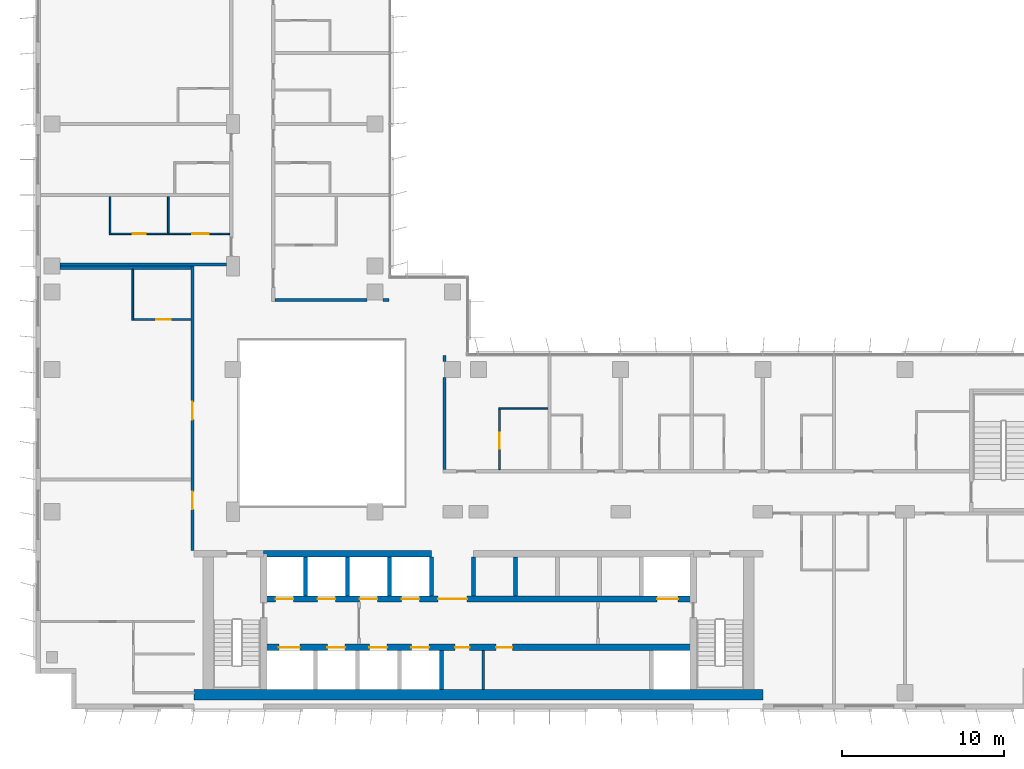
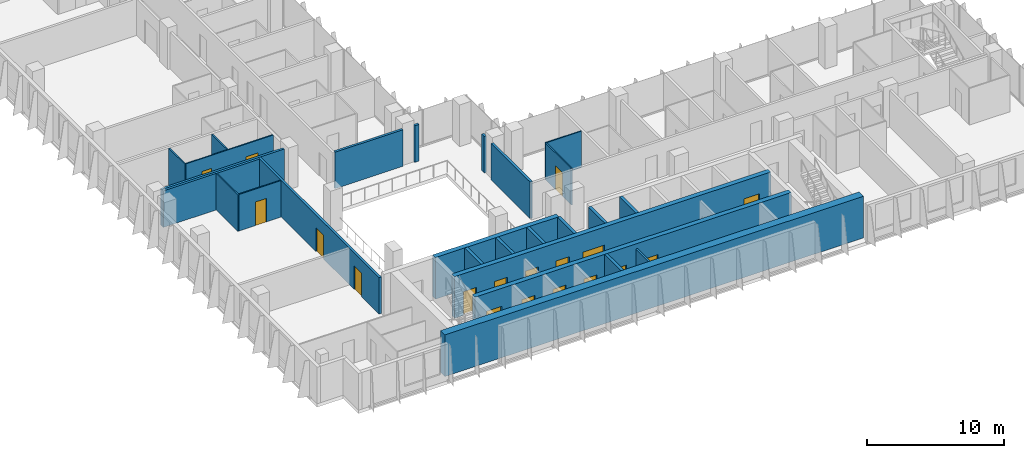
# One storey, part 13 of 21: 26 walls, 18 doors, 18 openings.
"""IFC4 building model written with IfcOpenShell, lengths in metres."""

from ifc_helpers import new_model, si_unit, direction, frame, frame_2d, origin, place, context, subcontext, project, spatial, rectangle, extrude, material, layer, layer_set, type_object, element, fill, save


model = new_model("IFC4")

# Units and contexts
model_context = context("Model", 3, precision=1e-05, world=origin(), true_north=direction((0.0, 1.0)))
body_context = subcontext(model_context, "Body", "Model", "MODEL_VIEW")
ifc_project = project(units=[si_unit("LENGTHUNIT", "METRE"), si_unit("AREAUNIT", "SQUARE_METRE"), si_unit("VOLUMEUNIT", "CUBIC_METRE"), si_unit("PLANEANGLEUNIT", "RADIAN"), si_unit("MASSUNIT", "GRAM", prefix="KILO")], contexts=[model_context])

# Site, building, storey
site_placement = place(None, origin())
site = spatial("IfcSite", under=ifc_project, at=site_placement, CompositionType="ELEMENT")
building_placement = place(site_placement, origin())
building = spatial("IfcBuilding", under=site, at=building_placement, Name="Kemantara Hotel Tower", CompositionType="ELEMENT")
storey_placement = place(building_placement, frame((0.0, 0.0, 198.800048828125)))
storey = spatial("IfcBuildingStorey", under=building, at=storey_placement, Name="L49", CompositionType="ELEMENT", Elevation=198.800048828125)

# Walls
ifc_material_1 = material(Name="Concrete fc 60 MPa", Category="concrete")
ifc_layer_1 = layer(ifc_material_1, 0.25)
ifc_layer_set_1 = layer_set([ifc_layer_1], Name="Concrete fc 60 MPa")
wall_type_1 = type_object("IfcWallType", Name="CORE WALL 250 FC60", PredefinedType="SHEAR", material=ifc_layer_set_1)
wall_1_placement = place(storey_placement, frame((25.10009765625, 1.199951171875, 0.0), z_axis=(0.0, 0.0, 1.0), x_axis=(0.0, 1.0, 0.0)))
element("IfcWall", 1, at=wall_1_placement, inside=storey, type_object=wall_type_1, Name="CORE WALL CW-DS25.1", PredefinedType="SHEAR", context=body_context, shape_type="SweptSolid", body=[
    extrude(rectangle(XDim=2.400146484375, YDim=0.25, at=frame_2d((1.2001953125, 0.0))), origin(), (0.0, 0.0, 1.0), 3.699951171875),
])
for number, where, z_axis, x_axis, name in (
    (2, (16.699951171875, 7.0, 0.0), (0.0, 0.0, 1.0), (0.0, 1.0, 0.0), "CORE WALL CW-DN16.7"),
    (3, (19.300048828125, 7.0, 0.0), (0.0, 0.0, 1.0), (0.0, 1.0, 0.0), "CORE WALL CW-DN19.3"),
    (4, (21.89990234375, 7.0, 0.0), (0.0, 0.0, 1.0), (0.0, 1.0, 0.0), "CORE WALL CW-DN21.9"),
    (5, (24.5, 7.0, 0.0), (0.0, 0.0, 1.0), (0.0, 1.0, 0.0), "CORE WALL CW-DN24.5"),
    (6, (27.10009765625, 7.0, 0.0), (0.0, 0.0, 1.0), (0.0, 1.0, 0.0), "CORE WALL CW-DN27.1"),
    (7, (29.699951171875, 7.0, 0.0), (0.0, 0.0, 1.0), (0.0, 1.0, 0.0), "CORE WALL CW-DN29.7"),
):
    element("IfcWall", number, at=place(storey_placement, frame(where, z_axis=z_axis, x_axis=x_axis)), inside=storey, type_object=wall_type_1, Name=name, PredefinedType="SHEAR", context=body_context, shape_type="SweptSolid", body=[
        extrude(rectangle(XDim=2.39990234375, YDim=0.25, at=frame_2d((1.199951171875, 0.0))), origin(), (0.0, 0.0, 1.0), 3.699951171875),
    ])
ifc_layer_2 = layer(ifc_material_1, 0.39990234375)
ifc_layer_set_2 = layer_set([ifc_layer_2], Name="Concrete fc 60 MPa")
wall_type_2 = type_object("IfcWallType", Name="CORE WALL 400 FC60", PredefinedType="SHEAR", material=ifc_layer_set_2)
wall_2_placement = place(storey_placement, frame((14.10009765625, 9.60009765625, 0.0), z_axis=(0.0, 0.0, 1.0), x_axis=(1.0, 0.0, 0.0)))
element("IfcWall", 8, at=wall_2_placement, inside=storey, type_object=wall_type_2, Name="CORE WALL CW-NN1", PredefinedType="SHEAR", context=body_context, shape_type="SweptSolid", body=[
    extrude(rectangle(XDim=10.39990234375, YDim=0.39990234375, at=frame_2d((5.199951171875, 0.0))), origin(), (0.0, 0.0, 1.0), 3.699951171875),
])

# Wall, openings, doors
wall_3_placement = place(storey_placement, frame((14.10009765625, 3.800048828125, 0.0), z_axis=(0.0, 0.0, 1.0), x_axis=(1.0, 0.0, 0.0)))
wall_3 = element("IfcWall", 9, at=wall_3_placement, inside=storey, type_object=wall_type_2, Name="CORE WALL CW-L1", PredefinedType="SHEAR", context=body_context, shape_type="SweptSolid", body=[
    extrude(rectangle(XDim=26.599853515625, YDim=0.39990234375, at=frame_2d((13.2998046875, 0.0))), origin(), (0.0, 0.0, 1.0), 3.699951171875),
])
opening_1_placement = place(wall_3_placement, frame((0.949951171875, 0.0, 0.0)))
opening_1 = element("IfcOpeningElement", 10, at=opening_1_placement, cuts=wall_3, Name="Opening C30-LD-FF1", PredefinedType="OPENING", context=body_context, shape_type="SweptSolid", body=[
    extrude(rectangle(XDim=1.300048828125, YDim=2.10009765625, at=frame_2d((0.64990234375, 1.050048828125))), frame((0.0, 0.2099609375, 0.0), z_axis=(0.0, -1.0, 0.0), x_axis=(1.0, 0.0, 0.0)), (0.0, 0.0, 1.0), 0.419921875),
])
opening_2_placement = place(wall_3_placement, frame((3.949951171875, 0.0, 0.0)))
opening_2 = element("IfcOpeningElement", 11, at=opening_2_placement, cuts=wall_3, Name="Opening C30-LD-SV1", PredefinedType="OPENING", context=body_context, shape_type="SweptSolid", body=[
    extrude(rectangle(XDim=1.10009765625, YDim=2.10009765625, at=frame_2d((0.550048828125, 1.050048828125))), frame((0.0, 0.2099609375, 0.0), z_axis=(0.0, -1.0, 0.0), x_axis=(1.0, 0.0, 0.0)), (0.0, 0.0, 1.0), 0.419921875),
])
opening_3_placement = place(wall_3_placement, frame((6.550048828125, 0.0, 0.0)))
opening_3 = element("IfcOpeningElement", 12, at=opening_3_placement, cuts=wall_3, Name="Opening C30-LD-SV2", PredefinedType="OPENING", context=body_context, shape_type="SweptSolid", body=[
    extrude(rectangle(XDim=1.10009765625, YDim=2.10009765625, at=frame_2d((0.550048828125, 1.050048828125))), frame((0.0, 0.2099609375, 0.0), z_axis=(0.0, -1.0, 0.0), x_axis=(1.0, 0.0, 0.0)), (0.0, 0.0, 1.0), 0.419921875),
])
opening_4_placement = place(wall_3_placement, frame((9.14990234375, 0.0, 0.0)))
opening_4 = element("IfcOpeningElement", 13, at=opening_4_placement, cuts=wall_3, Name="Opening C30-LD-SV3", PredefinedType="OPENING", context=body_context, shape_type="SweptSolid", body=[
    extrude(rectangle(XDim=1.10009765625, YDim=2.10009765625, at=frame_2d((0.550048828125, 1.050048828125))), frame((0.0, 0.2099609375, 0.0), z_axis=(0.0, -1.0, 0.0), x_axis=(1.0, 0.0, 0.0)), (0.0, 0.0, 1.0), 0.419921875),
])
opening_5_placement = place(wall_3_placement, frame((11.85009765625, 0.0, 0.0)))
opening_5 = element("IfcOpeningElement", 14, at=opening_5_placement, cuts=wall_3, Name="Opening C30-R-SM1", PredefinedType="OPENING", context=body_context, shape_type="SweptSolid", body=[
    extrude(rectangle(XDim=0.89990234375, YDim=2.10009765625, at=frame_2d((0.449951171875, 1.050048828125))), frame((0.0, 0.2099609375, 0.0), z_axis=(0.0, -1.0, 0.0), x_axis=(1.0, 0.0, 0.0)), (0.0, 0.0, 1.0), 0.419921875),
])
opening_6_placement = place(wall_3_placement, frame((14.39990234375, 0.0, 0.0)))
opening_6 = element("IfcOpeningElement", 15, at=opening_6_placement, cuts=wall_3, Name="Opening C30-R-SM2", PredefinedType="OPENING", context=body_context, shape_type="SweptSolid", body=[
    extrude(rectangle(XDim=1.0, YDim=2.10009765625, at=frame_2d((0.5, 1.050048828125))), frame((0.0, 0.2099609375, 0.0), z_axis=(0.0, -1.0, 0.0), x_axis=(1.0, 0.0, 0.0)), (0.0, 0.0, 1.0), 0.419921875),
])
ifc_material_2 = material(Name="Steel fire door", Category="steel")
door_type_1 = type_object("IfcDoorType", Name="Fire door FD30S 1000 x 2100", OperationType="NOTDEFINED", PredefinedType="DOOR", material=ifc_material_2)
door_1_placement = place(opening_6_placement, frame((1.0, 0.0, 0.0), z_axis=(0.0, 0.0, 1.0), x_axis=(-1.0, 0.0, 0.0)))
door_1 = element("IfcDoor", 16, at=door_1_placement, inside=storey, type_object=door_type_1, Name="Linen Store door", OperationType="SINGLE_SWING_LEFT", OverallHeight=2.10009765625, OverallWidth=1.0, PredefinedType="DOOR", context=body_context, shape_type="SweptSolid", body=[
    extrude(rectangle(XDim=1.0, YDim=2.10009765625, at=frame_2d((0.5, 1.050048828125))), frame((0.0, 0.02490234375, 0.0), z_axis=(0.0, -1.0, 0.0), x_axis=(1.0, 0.0, 0.0)), (0.0, 0.0, 1.0), 0.050048828125),
])
fill(opening_6, door_1)
door_type_2 = type_object("IfcDoorType", Name="Fire door FD30S 900 x 2100", OperationType="NOTDEFINED", PredefinedType="DOOR", material=ifc_material_2)
door_2_placement = place(opening_5_placement, frame((0.89990234375, 0.0, 0.0), z_axis=(0.0, 0.0, 1.0), x_axis=(-1.0, 0.0, 0.0)))
door_2 = element("IfcDoor", 17, at=door_2_placement, inside=storey, type_object=door_type_2, Name="Staff Wc door", OperationType="SINGLE_SWING_RIGHT", OverallHeight=2.10009765625, OverallWidth=0.89990234375, PredefinedType="DOOR", context=body_context, shape_type="SweptSolid", body=[
    extrude(rectangle(XDim=0.89990234375, YDim=2.10009765625, at=frame_2d((0.449951171875, 1.050048828125))), frame((0.0, 0.02490234375, 0.0), z_axis=(0.0, -1.0, 0.0), x_axis=(1.0, 0.0, 0.0)), (0.0, 0.0, 1.0), 0.050048828125),
])
fill(opening_5, door_2)
ifc_material_3 = material(Name="Stainless steel lift door", Category="steel")
door_type_3 = type_object("IfcDoorType", Name="Lift landing door 1100 x 2100 FD60", OperationType="DOUBLE_DOOR_SLIDING", PredefinedType="DOOR", material=ifc_material_3)
door_3_placement = place(opening_2_placement, origin())
door_3 = element("IfcDoor", 18, at=door_3_placement, inside=storey, type_object=door_type_3, Name="Lift SV1 landing door", OperationType="DOUBLE_DOOR_SLIDING", OverallHeight=2.10009765625, OverallWidth=1.10009765625, PredefinedType="DOOR", context=body_context, shape_type="SweptSolid", body=[
    extrude(rectangle(XDim=1.10009765625, YDim=2.10009765625, at=frame_2d((0.550048828125, 1.050048828125))), frame((0.0, 0.02490234375, 0.0), z_axis=(0.0, -1.0, 0.0), x_axis=(1.0, 0.0, 0.0)), (0.0, 0.0, 1.0), 0.050048828125),
])
fill(opening_2, door_3)
door_4_placement = place(opening_3_placement, origin())
door_4 = element("IfcDoor", 19, at=door_4_placement, inside=storey, type_object=door_type_3, Name="Lift SV2 landing door", OperationType="DOUBLE_DOOR_SLIDING", OverallHeight=2.10009765625, OverallWidth=1.10009765625, PredefinedType="DOOR", context=body_context, shape_type="SweptSolid", body=[
    extrude(rectangle(XDim=1.10009765625, YDim=2.10009765625, at=frame_2d((0.550048828125, 1.050048828125))), frame((0.0, 0.02490234375, 0.0), z_axis=(0.0, -1.0, 0.0), x_axis=(1.0, 0.0, 0.0)), (0.0, 0.0, 1.0), 0.050048828125),
])
fill(opening_3, door_4)
door_5_placement = place(opening_4_placement, origin())
door_5 = element("IfcDoor", 20, at=door_5_placement, inside=storey, type_object=door_type_3, Name="Lift SV3 landing door", OperationType="DOUBLE_DOOR_SLIDING", OverallHeight=2.10009765625, OverallWidth=1.10009765625, PredefinedType="DOOR", context=body_context, shape_type="SweptSolid", body=[
    extrude(rectangle(XDim=1.10009765625, YDim=2.10009765625, at=frame_2d((0.550048828125, 1.050048828125))), frame((0.0, 0.02490234375, 0.0), z_axis=(0.0, -1.0, 0.0), x_axis=(1.0, 0.0, 0.0)), (0.0, 0.0, 1.0), 0.050048828125),
])
fill(opening_4, door_5)
door_type_4 = type_object("IfcDoorType", Name="Lift landing door 1300 x 2100 FD90", OperationType="DOUBLE_DOOR_SLIDING", PredefinedType="DOOR", material=ifc_material_3)
door_6_placement = place(opening_1_placement, origin())
door_6 = element("IfcDoor", 21, at=door_6_placement, inside=storey, type_object=door_type_4, Name="Lift FF1 landing door", OperationType="DOUBLE_DOOR_SLIDING", OverallHeight=2.10009765625, OverallWidth=1.300048828125, PredefinedType="DOOR", context=body_context, shape_type="SweptSolid", body=[
    extrude(rectangle(XDim=1.300048828125, YDim=2.10009765625, at=frame_2d((0.64990234375, 1.050048828125))), frame((0.0, 0.02490234375, 0.0), z_axis=(0.0, -1.0, 0.0), x_axis=(1.0, 0.0, 0.0)), (0.0, 0.0, 1.0), 0.050048828125),
])
fill(opening_1, door_6)

wall_4_placement = place(storey_placement, frame((14.10009765625, 6.800048828125, 0.0), z_axis=(0.0, 0.0, 1.0), x_axis=(1.0, 0.0, 0.0)))
wall_4 = element("IfcWall", 22, at=wall_4_placement, inside=storey, type_object=wall_type_2, Name="CORE WALL CW-L2", PredefinedType="SHEAR", context=body_context, shape_type="SweptSolid", body=[
    extrude(rectangle(XDim=26.599853515625, YDim=0.39990234375, at=frame_2d((13.2998046875, 0.0))), origin(), (0.0, 0.0, 1.0), 3.699951171875),
])
opening_7_placement = place(wall_4_placement, frame((10.800048828125, 0.0, 0.0)))
opening_7 = element("IfcOpeningElement", 23, at=opening_7_placement, cuts=wall_4, Name="Opening C30-VL", PredefinedType="OPENING", context=body_context, shape_type="SweptSolid", body=[
    extrude(rectangle(XDim=1.800048828125, YDim=2.10009765625, at=frame_2d((0.89990234375, 1.050048828125))), frame((0.0, 0.2099609375, 0.0), z_axis=(0.0, -1.0, 0.0), x_axis=(1.0, 0.0, 0.0)), (0.0, 0.0, 1.0), 0.419921875),
])
opening_8_placement = place(wall_4_placement, frame((0.75, 0.0, 0.0)))
opening_8 = element("IfcOpeningElement", 24, at=opening_8_placement, cuts=wall_4, Name="Opening C30-LD-MR1", PredefinedType="OPENING", context=body_context, shape_type="SweptSolid", body=[
    extrude(rectangle(XDim=1.10009765625, YDim=2.10009765625, at=frame_2d((0.550048828125, 1.050048828125))), frame((0.0, 0.2099609375, 0.0), z_axis=(0.0, -1.0, 0.0), x_axis=(1.0, 0.0, 0.0)), (0.0, 0.0, 1.0), 0.419921875),
])
opening_9_placement = place(wall_4_placement, frame((3.35009765625, 0.0, 0.0)))
opening_9 = element("IfcOpeningElement", 25, at=opening_9_placement, cuts=wall_4, Name="Opening C30-LD-MR2", PredefinedType="OPENING", context=body_context, shape_type="SweptSolid", body=[
    extrude(rectangle(XDim=1.10009765625, YDim=2.10009765625, at=frame_2d((0.550048828125, 1.050048828125))), frame((0.0, 0.2099609375, 0.0), z_axis=(0.0, -1.0, 0.0), x_axis=(1.0, 0.0, 0.0)), (0.0, 0.0, 1.0), 0.419921875),
])
opening_10_placement = place(wall_4_placement, frame((5.949951171875, 0.0, 0.0)))
opening_10 = element("IfcOpeningElement", 26, at=opening_10_placement, cuts=wall_4, Name="Opening C30-LD-MR3", PredefinedType="OPENING", context=body_context, shape_type="SweptSolid", body=[
    extrude(rectangle(XDim=1.10009765625, YDim=2.10009765625, at=frame_2d((0.550048828125, 1.050048828125))), frame((0.0, 0.2099609375, 0.0), z_axis=(0.0, -1.0, 0.0), x_axis=(1.0, 0.0, 0.0)), (0.0, 0.0, 1.0), 0.419921875),
])
opening_11_placement = place(wall_4_placement, frame((8.550048828125, 0.0, 0.0)))
opening_11 = element("IfcOpeningElement", 27, at=opening_11_placement, cuts=wall_4, Name="Opening C30-LD-MR4", PredefinedType="OPENING", context=body_context, shape_type="SweptSolid", body=[
    extrude(rectangle(XDim=1.10009765625, YDim=2.10009765625, at=frame_2d((0.550048828125, 1.050048828125))), frame((0.0, 0.2099609375, 0.0), z_axis=(0.0, -1.0, 0.0), x_axis=(1.0, 0.0, 0.0)), (0.0, 0.0, 1.0), 0.419921875),
])
opening_12_placement = place(wall_4_placement, frame((24.35009765625, 0.0, 0.0)))
opening_12 = element("IfcOpeningElement", 28, at=opening_12_placement, cuts=wall_4, Name="Opening C30-LD-FF2", PredefinedType="OPENING", context=body_context, shape_type="SweptSolid", body=[
    extrude(rectangle(XDim=1.300048828125, YDim=2.10009765625, at=frame_2d((0.64990234375, 1.050048828125))), frame((0.0, 0.2099609375, 0.0), z_axis=(0.0, -1.0, 0.0), x_axis=(1.0, 0.0, 0.0)), (0.0, 0.0, 1.0), 0.419921875),
])
door_type_5 = type_object("IfcDoorType", Name="Fire door pair FD60 1800 x 2100", OperationType="DOUBLE_DOOR_SINGLE_SWING", PredefinedType="DOOR", material=ifc_material_2)
door_7_placement = place(opening_7_placement, frame((1.800048828125, 0.0, 0.0), z_axis=(0.0, 0.0, 1.0), x_axis=(-1.0, 0.0, 0.0)))
door_7 = element("IfcDoor", 29, at=door_7_placement, inside=storey, type_object=door_type_5, Name="Lift lobby entry door", OperationType="DOUBLE_DOOR_SINGLE_SWING", OverallHeight=2.10009765625, OverallWidth=1.800048828125, PredefinedType="DOOR", context=body_context, shape_type="SweptSolid", body=[
    extrude(rectangle(XDim=1.800048828125, YDim=2.10009765625, at=frame_2d((0.89990234375, 1.050048828125))), frame((0.0, 0.02490234375, 0.0), z_axis=(0.0, -1.0, 0.0), x_axis=(1.0, 0.0, 0.0)), (0.0, 0.0, 1.0), 0.050048828125),
])
fill(opening_7, door_7)
door_8_placement = place(opening_8_placement, origin())
door_8 = element("IfcDoor", 30, at=door_8_placement, inside=storey, type_object=door_type_3, Name="Lift MR1 landing door", OperationType="DOUBLE_DOOR_SLIDING", OverallHeight=2.10009765625, OverallWidth=1.10009765625, PredefinedType="DOOR", context=body_context, shape_type="SweptSolid", body=[
    extrude(rectangle(XDim=1.10009765625, YDim=2.10009765625, at=frame_2d((0.550048828125, 1.050048828125))), frame((0.0, 0.02490234375, 0.0), z_axis=(0.0, -1.0, 0.0), x_axis=(1.0, 0.0, 0.0)), (0.0, 0.0, 1.0), 0.050048828125),
])
fill(opening_8, door_8)
door_9_placement = place(opening_9_placement, origin())
door_9 = element("IfcDoor", 31, at=door_9_placement, inside=storey, type_object=door_type_3, Name="Lift MR2 landing door", OperationType="DOUBLE_DOOR_SLIDING", OverallHeight=2.10009765625, OverallWidth=1.10009765625, PredefinedType="DOOR", context=body_context, shape_type="SweptSolid", body=[
    extrude(rectangle(XDim=1.10009765625, YDim=2.10009765625, at=frame_2d((0.550048828125, 1.050048828125))), frame((0.0, 0.02490234375, 0.0), z_axis=(0.0, -1.0, 0.0), x_axis=(1.0, 0.0, 0.0)), (0.0, 0.0, 1.0), 0.050048828125),
])
fill(opening_9, door_9)
door_10_placement = place(opening_10_placement, origin())
door_10 = element("IfcDoor", 32, at=door_10_placement, inside=storey, type_object=door_type_3, Name="Lift MR3 landing door", OperationType="DOUBLE_DOOR_SLIDING", OverallHeight=2.10009765625, OverallWidth=1.10009765625, PredefinedType="DOOR", context=body_context, shape_type="SweptSolid", body=[
    extrude(rectangle(XDim=1.10009765625, YDim=2.10009765625, at=frame_2d((0.550048828125, 1.050048828125))), frame((0.0, 0.02490234375, 0.0), z_axis=(0.0, -1.0, 0.0), x_axis=(1.0, 0.0, 0.0)), (0.0, 0.0, 1.0), 0.050048828125),
])
fill(opening_10, door_10)
door_11_placement = place(opening_11_placement, origin())
door_11 = element("IfcDoor", 33, at=door_11_placement, inside=storey, type_object=door_type_3, Name="Lift MR4 landing door", OperationType="DOUBLE_DOOR_SLIDING", OverallHeight=2.10009765625, OverallWidth=1.10009765625, PredefinedType="DOOR", context=body_context, shape_type="SweptSolid", body=[
    extrude(rectangle(XDim=1.10009765625, YDim=2.10009765625, at=frame_2d((0.550048828125, 1.050048828125))), frame((0.0, 0.02490234375, 0.0), z_axis=(0.0, -1.0, 0.0), x_axis=(1.0, 0.0, 0.0)), (0.0, 0.0, 1.0), 0.050048828125),
])
fill(opening_11, door_11)
door_12_placement = place(opening_12_placement, origin())
door_12 = element("IfcDoor", 34, at=door_12_placement, inside=storey, type_object=door_type_4, Name="Lift FF2 landing door", OperationType="DOUBLE_DOOR_SLIDING", OverallHeight=2.10009765625, OverallWidth=1.300048828125, PredefinedType="DOOR", context=body_context, shape_type="SweptSolid", body=[
    extrude(rectangle(XDim=1.300048828125, YDim=2.10009765625, at=frame_2d((0.64990234375, 1.050048828125))), frame((0.0, 0.02490234375, 0.0), z_axis=(0.0, -1.0, 0.0), x_axis=(1.0, 0.0, 0.0)), (0.0, 0.0, 1.0), 0.050048828125),
])
fill(opening_12, door_12)

# Wall
ifc_layer_3 = layer(ifc_material_1, 0.64990234375)
ifc_layer_set_3 = layer_set([ifc_layer_3], Name="Concrete fc 60 MPa")
wall_type_3 = type_object("IfcWallType", Name="CORE WALL 650 FC60", PredefinedType="SHEAR", material=ifc_layer_set_3)
wall_5_placement = place(storey_placement, frame((9.800048828125, 0.875, 0.0), z_axis=(0.0, 0.0, 1.0), x_axis=(1.0, 0.0, 0.0)))
element("IfcWall", 35, at=wall_5_placement, inside=storey, type_object=wall_type_3, Name="CORE WALL CW-S", PredefinedType="SHEAR", context=body_context, shape_type="SweptSolid", body=[
    extrude(rectangle(XDim=35.199951171875, YDim=0.64990234375, at=frame_2d((17.60009765625, 0.0))), origin(), (0.0, 0.0, 1.0), 3.699951171875),
])

# Wall, openings, doors
ifc_material_4 = material(Name="Gypsum board partition, steel studs and mineral wool, 200 mm", Category="steel")
ifc_layer_4 = layer(ifc_material_4, 0.199951171875)
ifc_layer_set_4 = layer_set([ifc_layer_4], Name="Gypsum board partition, steel studs and mineral wool, 200 mm")
wall_type_4 = type_object("IfcWallType", Name="CORRIDOR WALL 200", PredefinedType="PARTITIONING", material=ifc_layer_set_4)
wall_6_placement = place(storey_placement, frame((9.699951171875, 9.800048828125, 0.0), z_axis=(0.0, 0.0, 1.0), x_axis=(0.0, 1.0, 0.0)))
wall_6 = element("IfcWall", 36, at=wall_6_placement, inside=storey, type_object=wall_type_4, Name="CORRIDOR WALL 200 014", PredefinedType="PARTITIONING", context=body_context, shape_type="SweptSolid", body=[
    extrude(rectangle(XDim=17.599853515625, YDim=0.199951171875, at=frame_2d((8.7998046875, 0.0))), origin(), (0.0, 0.0, 1.0), 3.25),
])
opening_13_placement = place(wall_6_placement, frame((2.550048828125, 0.0, 0.0)))
opening_13 = element("IfcOpeningElement", 37, at=opening_13_placement, cuts=wall_6, Name="Opening F23-019", PredefinedType="OPENING", context=body_context, shape_type="SweptSolid", body=[
    extrude(rectangle(XDim=1.10009765625, YDim=2.10009765625, at=frame_2d((0.550048828125, 1.050048828125))), frame((0.0, 0.10986328125, 0.0), z_axis=(0.0, -1.0, 0.0), x_axis=(1.0, 0.0, 0.0)), (0.0, 0.0, 1.0), 0.219970703125),
])
opening_14_placement = place(wall_6_placement, frame((8.10009765625, 0.0, 0.0)))
opening_14 = element("IfcOpeningElement", 38, at=opening_14_placement, cuts=wall_6, Name="Opening F23-023", PredefinedType="OPENING", context=body_context, shape_type="SweptSolid", body=[
    extrude(rectangle(XDim=1.10009765625, YDim=2.10009765625, at=frame_2d((0.550048828125, 1.050048828125))), frame((0.0, 0.10986328125, 0.0), z_axis=(0.0, -1.0, 0.0), x_axis=(1.0, 0.0, 0.0)), (0.0, 0.0, 1.0), 0.219970703125),
])
ifc_material_5 = material(Name="Hardwood veneer door leaf with steel frame", Category="steel")
door_type_6 = type_object("IfcDoorType", Name="SUITE ENTRANCE DOOR 1100 X 2100 FD30S", OperationType="NOTDEFINED", PredefinedType="DOOR", material=ifc_material_5)
door_13_placement = place(opening_13_placement, origin())
door_13 = element("IfcDoor", 39, at=door_13_placement, inside=storey, type_object=door_type_6, Name="SUITE ENTRANCE DOOR F23-019", OperationType="SINGLE_SWING_RIGHT", OverallHeight=2.10009765625, OverallWidth=1.10009765625, PredefinedType="DOOR", context=body_context, shape_type="SweptSolid", body=[
    extrude(rectangle(XDim=1.10009765625, YDim=2.10009765625, at=frame_2d((0.550048828125, 1.050048828125))), frame((0.0, 0.02490234375, 0.0), z_axis=(0.0, -1.0, 0.0), x_axis=(1.0, 0.0, 0.0)), (0.0, 0.0, 1.0), 0.050048828125),
])
fill(opening_13, door_13)
door_14_placement = place(opening_14_placement, origin())
door_14 = element("IfcDoor", 40, at=door_14_placement, inside=storey, type_object=door_type_6, Name="SUITE ENTRANCE DOOR F23-023", OperationType="SINGLE_SWING_LEFT", OverallHeight=2.10009765625, OverallWidth=1.10009765625, PredefinedType="DOOR", context=body_context, shape_type="SweptSolid", body=[
    extrude(rectangle(XDim=1.10009765625, YDim=2.10009765625, at=frame_2d((0.550048828125, 1.050048828125))), frame((0.0, 0.02490234375, 0.0), z_axis=(0.0, -1.0, 0.0), x_axis=(1.0, 0.0, 0.0)), (0.0, 0.0, 1.0), 0.050048828125),
])
fill(opening_14, door_14)

# Walls
ifc_layer_5 = layer(ifc_material_4, 0.199951171875)
ifc_layer_set_5 = layer_set([ifc_layer_5], Name="Gypsum board partition, steel studs and mineral wool, 200 mm")
wall_type_5 = type_object("IfcWallType", Name="GUEST ROOM PARTY WALL 200", PredefinedType="PARTITIONING", material=ifc_layer_set_5)
wall_7_placement = place(storey_placement, frame((25.300048828125, 14.800048828125, 0.0), z_axis=(0.0, 0.0, 1.0), x_axis=(0.0, 1.0, 0.0)))
element("IfcWall", 41, at=wall_7_placement, inside=storey, type_object=wall_type_5, Name="GUEST ROOM PARTY WALL 200 008", PredefinedType="PARTITIONING", context=body_context, shape_type="SweptSolid", body=[
    extrude(rectangle(XDim=5.699951171875, YDim=0.199951171875, at=frame_2d((2.85009765625, 0.0))), origin(), (0.0, 0.0, 1.0), 3.25),
])
wall_8_placement = place(storey_placement, frame((25.300048828125, 21.5, 0.0), z_axis=(0.0, 0.0, 1.0), x_axis=(0.0, 1.0, 0.0)))
element("IfcWall", 42, at=wall_8_placement, inside=storey, type_object=wall_type_5, Name="GUEST ROOM PARTY WALL 200 009", PredefinedType="PARTITIONING", context=body_context, shape_type="SweptSolid", body=[
    extrude(rectangle(XDim=0.3701171875, YDim=0.199951171875, at=frame_2d((0.18505859375, 0.0))), origin(), (0.0, 0.0, 1.0), 3.25),
])
wall_9_placement = place(storey_placement, frame((1.5, 27.300048828125, 0.0), z_axis=(0.0, 0.0, 1.0), x_axis=(1.0, 0.0, 0.0)))
element("IfcWall", 43, at=wall_9_placement, inside=storey, type_object=wall_type_5, Name="GUEST ROOM PARTY WALL 200 016", PredefinedType="PARTITIONING", context=body_context, shape_type="SweptSolid", body=[
    extrude(rectangle(XDim=8.10009765625, YDim=0.199951171875, at=frame_2d((4.050048828125, 0.0))), origin(), (0.0, 0.0, 1.0), 3.25),
])
wall_10_placement = place(storey_placement, frame((1.5, 27.5, 0.0), z_axis=(0.0, 0.0, 1.0), x_axis=(1.0, 0.0, 0.0)))
element("IfcWall", 44, at=wall_10_placement, inside=storey, type_object=wall_type_5, Name="GUEST ROOM PARTY WALL 200 021", PredefinedType="PARTITIONING", context=body_context, shape_type="SweptSolid", body=[
    extrude(rectangle(XDim=10.2998046875, YDim=0.199951171875, at=frame_2d((5.14990234375, 0.0))), origin(), (0.0, 0.0, 1.0), 3.25),
])
wall_11_placement = place(storey_placement, frame((14.800048828125, 25.300048828125, 0.0), z_axis=(0.0, 0.0, 1.0), x_axis=(1.0, 0.0, 0.0)))
element("IfcWall", 45, at=wall_11_placement, inside=storey, type_object=wall_type_5, Name="GUEST ROOM PARTY WALL 200 028", PredefinedType="PARTITIONING", context=body_context, shape_type="SweptSolid", body=[
    extrude(rectangle(XDim=5.699951171875, YDim=0.199951171875, at=frame_2d((2.85009765625, 0.0))), origin(), (0.0, 0.0, 1.0), 3.25),
])
wall_12_placement = place(storey_placement, frame((21.5, 25.300048828125, 0.0), z_axis=(0.0, 0.0, 1.0), x_axis=(1.0, 0.0, 0.0)))
element("IfcWall", 46, at=wall_12_placement, inside=storey, type_object=wall_type_5, Name="GUEST ROOM PARTY WALL 200 029", PredefinedType="PARTITIONING", context=body_context, shape_type="SweptSolid", body=[
    extrude(rectangle(XDim=0.3701171875, YDim=0.199951171875, at=frame_2d((0.18505859375, 0.0))), origin(), (0.0, 0.0, 1.0), 3.25),
])
ifc_material_6 = material(Name="Gypsum board partition")
ifc_layer_6 = layer(ifc_material_6, 0.14990234375)
ifc_layer_set_6 = layer_set([ifc_layer_6], Name="Gypsum board partition")
wall_type_6 = type_object("IfcWallType", Name="Gypsum board partition 150 mm", PredefinedType="PARTITIONING", material=ifc_layer_set_6)
wall_13_placement = place(storey_placement, frame((27.699951171875, 1.199951171875, 0.0), z_axis=(0.0, 0.0, 1.0), x_axis=(0.0, 1.0, 0.0)))
element("IfcWall", 47, at=wall_13_placement, inside=storey, type_object=wall_type_6, Name="Core room partition", PredefinedType="PARTITIONING", context=body_context, shape_type="SweptSolid", body=[
    extrude(rectangle(XDim=2.400146484375, YDim=0.14990234375, at=frame_2d((1.2001953125, 0.0))), origin(), (0.0, 0.0, 1.0), 3.25),
])
ifc_material_7 = material(Name="Gypsum board partition on steel studs, 100 mm", Category="steel")
ifc_layer_7 = layer(ifc_material_7, 0.10009765625)
ifc_layer_set_7 = layer_set([ifc_layer_7], Name="Gypsum board partition on steel studs, 100 mm")
wall_type_7 = type_object("IfcWallType", Name="ROOM PARTITION 100", PredefinedType="PARTITIONING", material=ifc_layer_set_7)
wall_14_placement = place(storey_placement, frame((28.64990234375, 18.60009765625, 0.0), z_axis=(0.0, 0.0, 1.0), x_axis=(1.0, 0.0, 0.0)))
element("IfcWall", 48, at=wall_14_placement, inside=storey, type_object=wall_type_7, Name="ROOM PARTITION 100 040", PredefinedType="PARTITIONING", context=body_context, shape_type="SweptSolid", body=[
    extrude(rectangle(XDim=3.050048828125, YDim=0.10009765625, at=frame_2d((1.52490234375, 0.0))), origin(), (0.0, 0.0, 1.0), 3.25),
])

# Wall, opening, door
wall_15_placement = place(storey_placement, frame((28.699951171875, 18.550048828125, 0.0), z_axis=(0.0, 0.0, 1.0), x_axis=(0.0, -1.0, 0.0)))
wall_15 = element("IfcWall", 49, at=wall_15_placement, inside=storey, type_object=wall_type_7, Name="ROOM PARTITION 100 041", PredefinedType="PARTITIONING", context=body_context, shape_type="SweptSolid", body=[
    extrude(rectangle(XDim=3.75, YDim=0.10009765625, at=frame_2d((1.875, 0.0))), origin(), (0.0, 0.0, 1.0), 3.25),
])
opening_15_placement = place(wall_15_placement, frame((1.449951171875, 0.0, 0.0)))
opening_15 = element("IfcOpeningElement", 50, at=opening_15_placement, cuts=wall_15, Name="Opening F23-008", PredefinedType="OPENING", context=body_context, shape_type="SweptSolid", body=[
    extrude(rectangle(XDim=1.0, YDim=2.10009765625, at=frame_2d((0.5, 1.050048828125))), frame((0.0, 0.06005859375, 0.0), z_axis=(0.0, -1.0, 0.0), x_axis=(1.0, 0.0, 0.0)), (0.0, 0.0, 1.0), 0.1201171875),
])
door_type_7 = type_object("IfcDoorType", Name="BATHROOM DOOR 1000 X 2100", OperationType="NOTDEFINED", PredefinedType="DOOR", material=ifc_material_5)
door_15_placement = place(opening_15_placement, origin())
door_15 = element("IfcDoor", 51, at=door_15_placement, inside=storey, type_object=door_type_7, Name="BATHROOM DOOR F23-008", OperationType="SINGLE_SWING_RIGHT", OverallHeight=2.10009765625, OverallWidth=1.0, PredefinedType="DOOR", context=body_context, shape_type="SweptSolid", body=[
    extrude(rectangle(XDim=1.0, YDim=2.10009765625, at=frame_2d((0.5, 1.050048828125))), frame((0.0, 0.02490234375, 0.0), z_axis=(0.0, -1.0, 0.0), x_axis=(1.0, 0.0, 0.0)), (0.0, 0.0, 1.0), 0.050048828125),
])
fill(opening_15, door_15)

# Wall
wall_16_placement = place(storey_placement, frame((6.0, 24.050048828125, 0.0), z_axis=(0.0, 0.0, 1.0), x_axis=(0.0, 1.0, 0.0)))
element("IfcWall", 52, at=wall_16_placement, inside=storey, type_object=wall_type_7, Name="ROOM PARTITION 100 055", PredefinedType="PARTITIONING", context=body_context, shape_type="SweptSolid", body=[
    extrude(rectangle(XDim=3.14990234375, YDim=0.10009765625, at=frame_2d((1.574951171875, 0.0))), origin(), (0.0, 0.0, 1.0), 3.25),
])

# Wall, opening, door
wall_17_placement = place(storey_placement, frame((6.050048828125, 24.10009765625, 0.0), z_axis=(0.0, 0.0, 1.0), x_axis=(1.0, 0.0, 0.0)))
wall_17 = element("IfcWall", 53, at=wall_17_placement, inside=storey, type_object=wall_type_7, Name="ROOM PARTITION 100 056", PredefinedType="PARTITIONING", context=body_context, shape_type="SweptSolid", body=[
    extrude(rectangle(XDim=3.550048828125, YDim=0.10009765625, at=frame_2d((1.77490234375, 0.0))), origin(), (0.0, 0.0, 1.0), 3.25),
])
opening_16_placement = place(wall_17_placement, frame((1.39990234375, 0.0, 0.0)))
opening_16 = element("IfcOpeningElement", 54, at=opening_16_placement, cuts=wall_17, Name="Opening F23-024", PredefinedType="OPENING", context=body_context, shape_type="SweptSolid", body=[
    extrude(rectangle(XDim=0.89990234375, YDim=2.10009765625, at=frame_2d((0.449951171875, 1.050048828125))), frame((0.0, 0.06005859375, 0.0), z_axis=(0.0, -1.0, 0.0), x_axis=(1.0, 0.0, 0.0)), (0.0, 0.0, 1.0), 0.1201171875),
])
door_type_8 = type_object("IfcDoorType", Name="BATHROOM DOOR 900 X 2100", OperationType="NOTDEFINED", PredefinedType="DOOR", material=ifc_material_5)
door_16_placement = place(opening_16_placement, origin())
door_16 = element("IfcDoor", 55, at=door_16_placement, inside=storey, type_object=door_type_8, Name="BATHROOM DOOR F23-024", OperationType="SINGLE_SWING_RIGHT", OverallHeight=2.10009765625, OverallWidth=0.89990234375, PredefinedType="DOOR", context=body_context, shape_type="SweptSolid", body=[
    extrude(rectangle(XDim=0.89990234375, YDim=2.10009765625, at=frame_2d((0.449951171875, 1.050048828125))), frame((0.0, 0.02490234375, 0.0), z_axis=(0.0, -1.0, 0.0), x_axis=(1.0, 0.0, 0.0)), (0.0, 0.0, 1.0), 0.050048828125),
])
fill(opening_16, door_16)

# Walls
wall_18_placement = place(storey_placement, frame((4.60009765625, 29.35009765625, 0.0), z_axis=(0.0, 0.0, 1.0), x_axis=(0.0, 1.0, 0.0)))
element("IfcWall", 56, at=wall_18_placement, inside=storey, type_object=wall_type_7, Name="ROOM PARTITION 100 057", PredefinedType="PARTITIONING", context=body_context, shape_type="SweptSolid", body=[
    extrude(rectangle(XDim=2.349853515625, YDim=0.10009765625, at=frame_2d((1.1748046875, 0.0))), origin(), (0.0, 0.0, 1.0), 3.25),
])
wall_19_placement = place(storey_placement, frame((8.199951171875, 29.449951171875, 0.0), z_axis=(0.0, 0.0, 1.0), x_axis=(0.0, 1.0, 0.0)))
element("IfcWall", 57, at=wall_19_placement, inside=storey, type_object=wall_type_7, Name="ROOM PARTITION 100 058", PredefinedType="PARTITIONING", context=body_context, shape_type="SweptSolid", body=[
    extrude(rectangle(XDim=2.25, YDim=0.10009765625, at=frame_2d((1.125, 0.0))), origin(), (0.0, 0.0, 1.0), 3.25),
])

# Wall, openings, doors
wall_20_placement = place(storey_placement, frame((4.64990234375, 29.39990234375, 0.0), z_axis=(0.0, 0.0, 1.0), x_axis=(1.0, 0.0, 0.0)))
wall_20 = element("IfcWall", 58, at=wall_20_placement, inside=storey, type_object=wall_type_7, Name="ROOM PARTITION 100 059", PredefinedType="PARTITIONING", context=body_context, shape_type="SweptSolid", body=[
    extrude(rectangle(XDim=7.35009765625, YDim=0.10009765625, at=frame_2d((3.675048828125, 0.0))), origin(), (0.0, 0.0, 1.0), 3.25),
])
opening_17_placement = place(wall_20_placement, frame((5.050048828125, 0.0, 0.0)))
opening_17 = element("IfcOpeningElement", 59, at=opening_17_placement, cuts=wall_20, Name="Opening F23-026", PredefinedType="OPENING", context=body_context, shape_type="SweptSolid", body=[
    extrude(rectangle(XDim=1.0, YDim=2.10009765625, at=frame_2d((0.5, 1.050048828125))), frame((0.0, 0.06005859375, 0.0), z_axis=(0.0, -1.0, 0.0), x_axis=(1.0, 0.0, 0.0)), (0.0, 0.0, 1.0), 0.1201171875),
])
opening_18_placement = place(wall_20_placement, frame((1.35009765625, 0.0, 0.0)))
opening_18 = element("IfcOpeningElement", 60, at=opening_18_placement, cuts=wall_20, Name="Opening F23-027", PredefinedType="OPENING", context=body_context, shape_type="SweptSolid", body=[
    extrude(rectangle(XDim=0.800048828125, YDim=2.10009765625, at=frame_2d((0.39990234375, 1.050048828125))), frame((0.0, 0.06005859375, 0.0), z_axis=(0.0, -1.0, 0.0), x_axis=(1.0, 0.0, 0.0)), (0.0, 0.0, 1.0), 0.1201171875),
])
door_17_placement = place(opening_17_placement, origin())
door_17 = element("IfcDoor", 61, at=door_17_placement, inside=storey, type_object=door_type_7, Name="BATHROOM DOOR F23-026", OperationType="SINGLE_SWING_RIGHT", OverallHeight=2.10009765625, OverallWidth=1.0, PredefinedType="DOOR", context=body_context, shape_type="SweptSolid", body=[
    extrude(rectangle(XDim=1.0, YDim=2.10009765625, at=frame_2d((0.5, 1.050048828125))), frame((0.0, 0.02490234375, 0.0), z_axis=(0.0, -1.0, 0.0), x_axis=(1.0, 0.0, 0.0)), (0.0, 0.0, 1.0), 0.050048828125),
])
fill(opening_17, door_17)
door_type_9 = type_object("IfcDoorType", Name="INTERNAL DOOR 800 X 2100", OperationType="NOTDEFINED", PredefinedType="DOOR", material=ifc_material_5)
door_18_placement = place(opening_18_placement, origin())
door_18 = element("IfcDoor", 62, at=door_18_placement, inside=storey, type_object=door_type_9, Name="INTERNAL DOOR F23-027", OperationType="SINGLE_SWING_RIGHT", OverallHeight=2.10009765625, OverallWidth=0.800048828125, PredefinedType="DOOR", context=body_context, shape_type="SweptSolid", body=[
    extrude(rectangle(XDim=0.800048828125, YDim=2.10009765625, at=frame_2d((0.39990234375, 1.050048828125))), frame((0.0, 0.02490234375, 0.0), z_axis=(0.0, -1.0, 0.0), x_axis=(1.0, 0.0, 0.0)), (0.0, 0.0, 1.0), 0.050048828125),
])
fill(opening_18, door_18)

save(model, "model.ifc")
